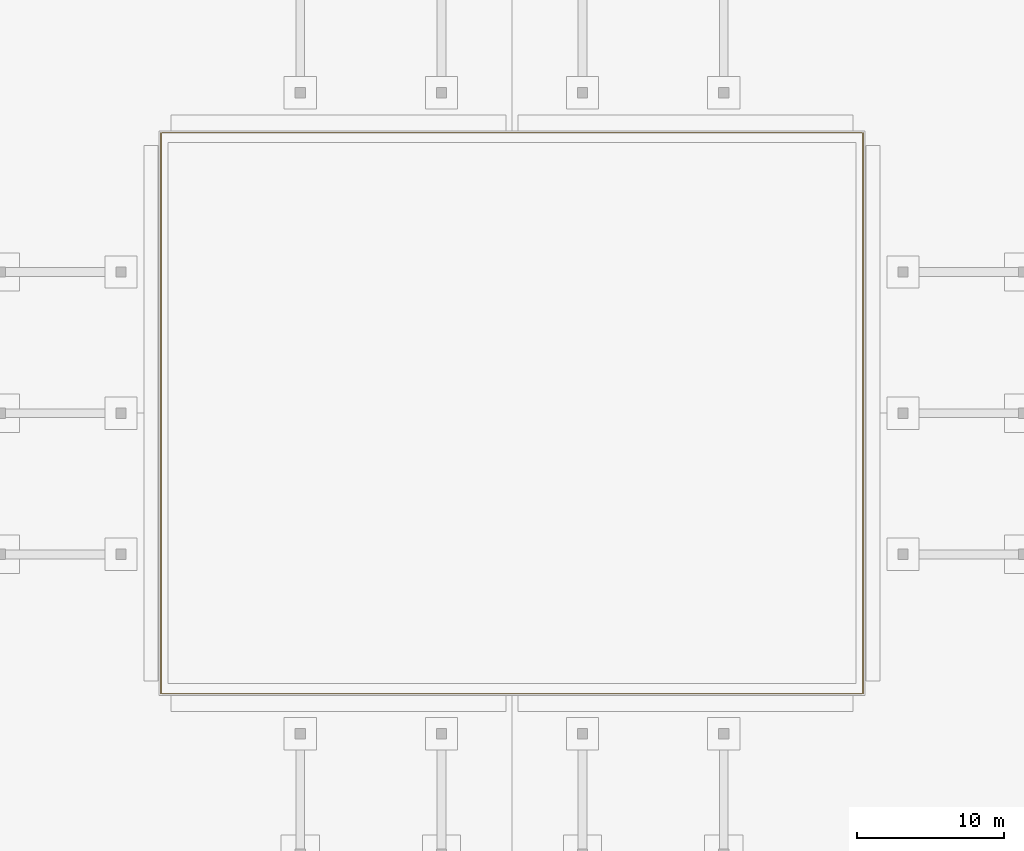
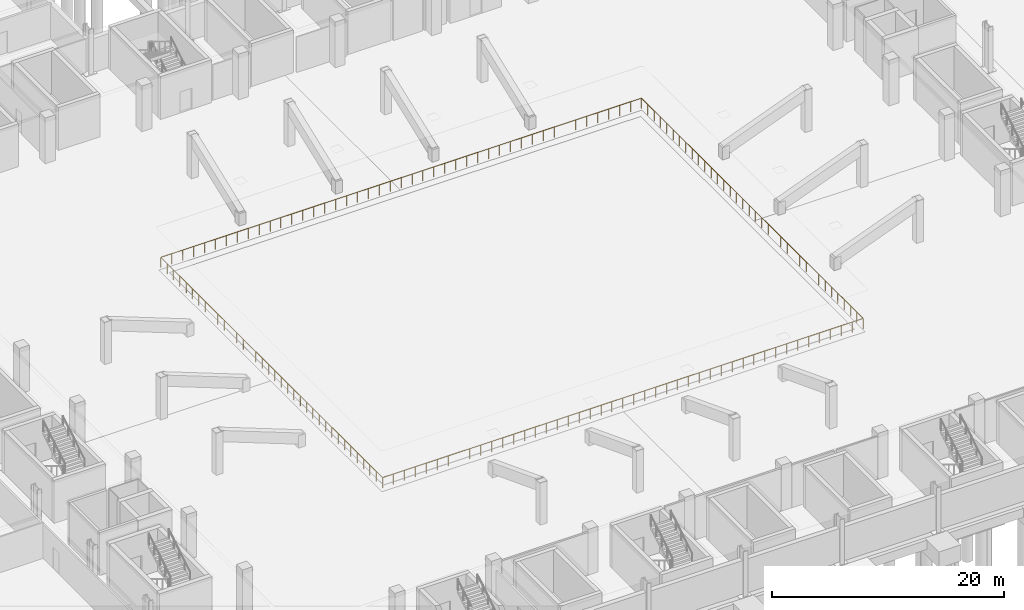
# One storey, part 51 of 67: 1 railing.
"""IFC4 building model written with IfcOpenShell, lengths in metres."""

from ifc_helpers import new_model, si_unit, direction, frame, origin, origin_2d, place, context, subcontext, project, spatial, circle, extrude, material, type_object, element, save


model = new_model("IFC4")

# Units and contexts
model_context = context("Model", 3, precision=1e-05, world=origin(), true_north=direction((0.0, 1.0)))
body_context = subcontext(model_context, "Body", "Model", "MODEL_VIEW")
ifc_project = project(units=[si_unit("LENGTHUNIT", "METRE"), si_unit("AREAUNIT", "SQUARE_METRE"), si_unit("VOLUMEUNIT", "CUBIC_METRE"), si_unit("PLANEANGLEUNIT", "RADIAN"), si_unit("MASSUNIT", "GRAM", prefix="KILO")], contexts=[model_context])

# Site, building, storey
site_placement = place(None, origin())
site = spatial("IfcSite", under=ifc_project, at=site_placement, CompositionType="ELEMENT")
building_placement = place(site_placement, origin())
building = spatial("IfcBuilding", under=site, at=building_placement, Name="Caelomonte Colonnade Arena", CompositionType="ELEMENT")
storey_placement = place(building_placement, frame((0.0, 0.0, -4.800048828125)))
storey = spatial("IfcBuildingStorey", under=building, at=storey_placement, Name="B1", CompositionType="ELEMENT", Elevation=-4.800048828125)

# Railing
ifc_material = material(Name="Painted galvanized steel handrail and posts", Category="steel")
railing_type = type_object("IfcRailingType", Name="ENV-RL-GRD1", PredefinedType="GUARDRAIL", material=ifc_material)
railing_placement = place(storey_placement, frame((134.280029296875, 48.1201171875, 0.300048828125)))
element("IfcRailing", 1, at=railing_placement, inside=storey, type_object=railing_type, Name="Lower bowl front crowd barrier 1", PredefinedType="GUARDRAIL", context=body_context, shape_type="SweptSolid", body=[
    extrude(circle(Radius=0.02392578125, at=origin_2d()), frame((0.0, 0.03125, 1.076171875), z_axis=(0.0, 1.0, 0.0), x_axis=(-1.0, 0.0, 0.0)), (0.0, 0.0, 1.0), 38.097412109375),
    extrude(circle(Radius=0.02392578125, at=origin_2d()), frame((-0.03125, 38.159912109375, 1.076171875), z_axis=(-1.0, 0.0, 0.0), x_axis=(0.0, -1.0, 0.0)), (0.0, 0.0, 1.0), 47.697509765625),
    extrude(circle(Radius=0.02392578125, at=origin_2d()), frame((-47.760009765625, 38.128662109375, 1.076171875), z_axis=(0.0, -1.0, 0.0), x_axis=(1.0, 0.0, 0.0)), (0.0, 0.0, 1.0), 38.097412109375),
    extrude(circle(Radius=0.02392578125, at=origin_2d()), frame((-47.728759765625, 0.0, 1.076171875), z_axis=(1.0, 0.0, 0.0), x_axis=(0.0, 1.0, 0.0)), (0.0, 0.0, 1.0), 47.697509765625),
    extrude(circle(Radius=0.02099609375, at=origin_2d()), origin(), (0.0, 0.0, 1.0), 1.048095703125),
    extrude(circle(Radius=0.02099609375, at=origin_2d()), frame((0.0, 1.09033203125, 0.0)), (0.0, 0.0, 1.0), 1.048095703125),
    extrude(circle(Radius=0.02099609375, at=origin_2d()), frame((0.0, 2.1806640625, 0.0)), (0.0, 0.0, 1.0), 1.048095703125),
    extrude(circle(Radius=0.02099609375, at=origin_2d()), frame((0.0, 3.270751953125, 0.0)), (0.0, 0.0, 1.0), 1.048095703125),
    extrude(circle(Radius=0.02099609375, at=origin_2d()), frame((0.0, 4.361083984375, 0.0)), (0.0, 0.0, 1.0), 1.048095703125),
    extrude(circle(Radius=0.02099609375, at=origin_2d()), frame((0.0, 5.451416015625, 0.0)), (0.0, 0.0, 1.0), 1.048095703125),
    extrude(circle(Radius=0.02099609375, at=origin_2d()), frame((0.0, 6.541748046875, 0.0)), (0.0, 0.0, 1.0), 1.048095703125),
    extrude(circle(Radius=0.02099609375, at=origin_2d()), frame((0.0, 7.632080078125, 0.0)), (0.0, 0.0, 1.0), 1.048095703125),
    extrude(circle(Radius=0.02099609375, at=origin_2d()), frame((0.0, 8.72216796875, 0.0)), (0.0, 0.0, 1.0), 1.048095703125),
    extrude(circle(Radius=0.02099609375, at=origin_2d()), frame((0.0, 9.8125, 0.0)), (0.0, 0.0, 1.0), 1.048095703125),
    extrude(circle(Radius=0.02099609375, at=origin_2d()), frame((0.0, 10.90283203125, 0.0)), (0.0, 0.0, 1.0), 1.048095703125),
    extrude(circle(Radius=0.02099609375, at=origin_2d()), frame((0.0, 11.9931640625, 0.0)), (0.0, 0.0, 1.0), 1.048095703125),
    extrude(circle(Radius=0.02099609375, at=origin_2d()), frame((0.0, 13.08349609375, 0.0)), (0.0, 0.0, 1.0), 1.048095703125),
    extrude(circle(Radius=0.02099609375, at=origin_2d()), frame((0.0, 14.173583984375, 0.0)), (0.0, 0.0, 1.0), 1.048095703125),
    extrude(circle(Radius=0.02099609375, at=origin_2d()), frame((0.0, 15.263916015625, 0.0)), (0.0, 0.0, 1.0), 1.048095703125),
    extrude(circle(Radius=0.02099609375, at=origin_2d()), frame((0.0, 16.354248046875, 0.0)), (0.0, 0.0, 1.0), 1.048095703125),
    extrude(circle(Radius=0.02099609375, at=origin_2d()), frame((0.0, 17.444580078125, 0.0)), (0.0, 0.0, 1.0), 1.048095703125),
    extrude(circle(Radius=0.02099609375, at=origin_2d()), frame((0.0, 18.534912109375, 0.0)), (0.0, 0.0, 1.0), 1.048095703125),
    extrude(circle(Radius=0.02099609375, at=origin_2d()), frame((0.0, 19.625, 0.0)), (0.0, 0.0, 1.0), 1.048095703125),
    extrude(circle(Radius=0.02099609375, at=origin_2d()), frame((0.0, 20.71533203125, 0.0)), (0.0, 0.0, 1.0), 1.048095703125),
    extrude(circle(Radius=0.02099609375, at=origin_2d()), frame((0.0, 21.8056640625, 0.0)), (0.0, 0.0, 1.0), 1.048095703125),
    extrude(circle(Radius=0.02099609375, at=origin_2d()), frame((0.0, 22.89599609375, 0.0)), (0.0, 0.0, 1.0), 1.048095703125),
    extrude(circle(Radius=0.02099609375, at=origin_2d()), frame((0.0, 23.986328125, 0.0)), (0.0, 0.0, 1.0), 1.048095703125),
    extrude(circle(Radius=0.02099609375, at=origin_2d()), frame((0.0, 25.076416015625, 0.0)), (0.0, 0.0, 1.0), 1.048095703125),
    extrude(circle(Radius=0.02099609375, at=origin_2d()), frame((0.0, 26.166748046875, 0.0)), (0.0, 0.0, 1.0), 1.048095703125),
    extrude(circle(Radius=0.02099609375, at=origin_2d()), frame((0.0, 27.257080078125, 0.0)), (0.0, 0.0, 1.0), 1.048095703125),
    extrude(circle(Radius=0.02099609375, at=origin_2d()), frame((0.0, 28.347412109375, 0.0)), (0.0, 0.0, 1.0), 1.048095703125),
    extrude(circle(Radius=0.02099609375, at=origin_2d()), frame((0.0, 29.437744140625, 0.0)), (0.0, 0.0, 1.0), 1.048095703125),
    extrude(circle(Radius=0.02099609375, at=origin_2d()), frame((0.0, 30.52783203125, 0.0)), (0.0, 0.0, 1.0), 1.048095703125),
    extrude(circle(Radius=0.02099609375, at=origin_2d()), frame((0.0, 31.6181640625, 0.0)), (0.0, 0.0, 1.0), 1.048095703125),
    extrude(circle(Radius=0.02099609375, at=origin_2d()), frame((0.0, 32.70849609375, 0.0)), (0.0, 0.0, 1.0), 1.048095703125),
    extrude(circle(Radius=0.02099609375, at=origin_2d()), frame((0.0, 33.798828125, 0.0)), (0.0, 0.0, 1.0), 1.048095703125),
    extrude(circle(Radius=0.02099609375, at=origin_2d()), frame((0.0, 34.88916015625, 0.0)), (0.0, 0.0, 1.0), 1.048095703125),
    extrude(circle(Radius=0.02099609375, at=origin_2d()), frame((0.0, 35.979248046875, 0.0)), (0.0, 0.0, 1.0), 1.048095703125),
    extrude(circle(Radius=0.02099609375, at=origin_2d()), frame((0.0, 37.069580078125, 0.0)), (0.0, 0.0, 1.0), 1.048095703125),
    extrude(circle(Radius=0.02099609375, at=origin_2d()), frame((0.0, 38.159912109375, 0.0)), (0.0, 0.0, 1.0), 1.048095703125),
    extrude(circle(Radius=0.02099609375, at=origin_2d()), frame((-1.08544921875, 38.159912109375, 0.0)), (0.0, 0.0, 1.0), 1.048095703125),
    extrude(circle(Radius=0.02099609375, at=origin_2d()), frame((-2.1708984375, 38.159912109375, 0.0)), (0.0, 0.0, 1.0), 1.048095703125),
    extrude(circle(Radius=0.02099609375, at=origin_2d()), frame((-3.25634765625, 38.159912109375, 0.0)), (0.0, 0.0, 1.0), 1.048095703125),
    extrude(circle(Radius=0.02099609375, at=origin_2d()), frame((-4.341796875, 38.159912109375, 0.0)), (0.0, 0.0, 1.0), 1.048095703125),
    extrude(circle(Radius=0.02099609375, at=origin_2d()), frame((-5.42724609375, 38.159912109375, 0.0)), (0.0, 0.0, 1.0), 1.048095703125),
    extrude(circle(Radius=0.02099609375, at=origin_2d()), frame((-6.5126953125, 38.159912109375, 0.0)), (0.0, 0.0, 1.0), 1.048095703125),
    extrude(circle(Radius=0.02099609375, at=origin_2d()), frame((-7.59814453125, 38.159912109375, 0.0)), (0.0, 0.0, 1.0), 1.048095703125),
    extrude(circle(Radius=0.02099609375, at=origin_2d()), frame((-8.68359375, 38.159912109375, 0.0)), (0.0, 0.0, 1.0), 1.048095703125),
    extrude(circle(Radius=0.02099609375, at=origin_2d()), frame((-9.76904296875, 38.159912109375, 0.0)), (0.0, 0.0, 1.0), 1.048095703125),
    extrude(circle(Radius=0.02099609375, at=origin_2d()), frame((-10.8544921875, 38.159912109375, 0.0)), (0.0, 0.0, 1.0), 1.048095703125),
    extrude(circle(Radius=0.02099609375, at=origin_2d()), frame((-11.93994140625, 38.159912109375, 0.0)), (0.0, 0.0, 1.0), 1.048095703125),
    extrude(circle(Radius=0.02099609375, at=origin_2d()), frame((-13.025390625, 38.159912109375, 0.0)), (0.0, 0.0, 1.0), 1.048095703125),
    extrude(circle(Radius=0.02099609375, at=origin_2d()), frame((-14.11083984375, 38.159912109375, 0.0)), (0.0, 0.0, 1.0), 1.048095703125),
    extrude(circle(Radius=0.02099609375, at=origin_2d()), frame((-15.1962890625, 38.159912109375, 0.0)), (0.0, 0.0, 1.0), 1.048095703125),
    extrude(circle(Radius=0.02099609375, at=origin_2d()), frame((-16.28173828125, 38.159912109375, 0.0)), (0.0, 0.0, 1.0), 1.048095703125),
    extrude(circle(Radius=0.02099609375, at=origin_2d()), frame((-17.3671875, 38.159912109375, 0.0)), (0.0, 0.0, 1.0), 1.048095703125),
    extrude(circle(Radius=0.02099609375, at=origin_2d()), frame((-18.45263671875, 38.159912109375, 0.0)), (0.0, 0.0, 1.0), 1.048095703125),
    extrude(circle(Radius=0.02099609375, at=origin_2d()), frame((-19.5380859375, 38.159912109375, 0.0)), (0.0, 0.0, 1.0), 1.048095703125),
    extrude(circle(Radius=0.02099609375, at=origin_2d()), frame((-20.62353515625, 38.159912109375, 0.0)), (0.0, 0.0, 1.0), 1.048095703125),
    extrude(circle(Radius=0.02099609375, at=origin_2d()), frame((-21.708984375, 38.159912109375, 0.0)), (0.0, 0.0, 1.0), 1.048095703125),
    extrude(circle(Radius=0.02099609375, at=origin_2d()), frame((-22.79443359375, 38.159912109375, 0.0)), (0.0, 0.0, 1.0), 1.048095703125),
    extrude(circle(Radius=0.02099609375, at=origin_2d()), frame((-23.8798828125, 38.159912109375, 0.0)), (0.0, 0.0, 1.0), 1.048095703125),
    extrude(circle(Radius=0.02099609375, at=origin_2d()), frame((-24.965576171875, 38.159912109375, 0.0)), (0.0, 0.0, 1.0), 1.048095703125),
    extrude(circle(Radius=0.02099609375, at=origin_2d()), frame((-26.051025390625, 38.159912109375, 0.0)), (0.0, 0.0, 1.0), 1.048095703125),
    extrude(circle(Radius=0.02099609375, at=origin_2d()), frame((-27.136474609375, 38.159912109375, 0.0)), (0.0, 0.0, 1.0), 1.048095703125),
    extrude(circle(Radius=0.02099609375, at=origin_2d()), frame((-28.221923828125, 38.159912109375, 0.0)), (0.0, 0.0, 1.0), 1.048095703125),
    extrude(circle(Radius=0.02099609375, at=origin_2d()), frame((-29.307373046875, 38.159912109375, 0.0)), (0.0, 0.0, 1.0), 1.048095703125),
    extrude(circle(Radius=0.02099609375, at=origin_2d()), frame((-30.392822265625, 38.159912109375, 0.0)), (0.0, 0.0, 1.0), 1.048095703125),
    extrude(circle(Radius=0.02099609375, at=origin_2d()), frame((-31.478271484375, 38.159912109375, 0.0)), (0.0, 0.0, 1.0), 1.048095703125),
    extrude(circle(Radius=0.02099609375, at=origin_2d()), frame((-32.563720703125, 38.159912109375, 0.0)), (0.0, 0.0, 1.0), 1.048095703125),
    extrude(circle(Radius=0.02099609375, at=origin_2d()), frame((-33.649169921875, 38.159912109375, 0.0)), (0.0, 0.0, 1.0), 1.048095703125),
    extrude(circle(Radius=0.02099609375, at=origin_2d()), frame((-34.734619140625, 38.159912109375, 0.0)), (0.0, 0.0, 1.0), 1.048095703125),
    extrude(circle(Radius=0.02099609375, at=origin_2d()), frame((-35.820068359375, 38.159912109375, 0.0)), (0.0, 0.0, 1.0), 1.048095703125),
    extrude(circle(Radius=0.02099609375, at=origin_2d()), frame((-36.905517578125, 38.159912109375, 0.0)), (0.0, 0.0, 1.0), 1.048095703125),
    extrude(circle(Radius=0.02099609375, at=origin_2d()), frame((-37.990966796875, 38.159912109375, 0.0)), (0.0, 0.0, 1.0), 1.048095703125),
    extrude(circle(Radius=0.02099609375, at=origin_2d()), frame((-39.076416015625, 38.159912109375, 0.0)), (0.0, 0.0, 1.0), 1.048095703125),
    extrude(circle(Radius=0.02099609375, at=origin_2d()), frame((-40.161865234375, 38.159912109375, 0.0)), (0.0, 0.0, 1.0), 1.048095703125),
    extrude(circle(Radius=0.02099609375, at=origin_2d()), frame((-41.247314453125, 38.159912109375, 0.0)), (0.0, 0.0, 1.0), 1.048095703125),
    extrude(circle(Radius=0.02099609375, at=origin_2d()), frame((-42.332763671875, 38.159912109375, 0.0)), (0.0, 0.0, 1.0), 1.048095703125),
    extrude(circle(Radius=0.02099609375, at=origin_2d()), frame((-43.418212890625, 38.159912109375, 0.0)), (0.0, 0.0, 1.0), 1.048095703125),
    extrude(circle(Radius=0.02099609375, at=origin_2d()), frame((-44.503662109375, 38.159912109375, 0.0)), (0.0, 0.0, 1.0), 1.048095703125),
    extrude(circle(Radius=0.02099609375, at=origin_2d()), frame((-45.589111328125, 38.159912109375, 0.0)), (0.0, 0.0, 1.0), 1.048095703125),
    extrude(circle(Radius=0.02099609375, at=origin_2d()), frame((-46.674560546875, 38.159912109375, 0.0)), (0.0, 0.0, 1.0), 1.048095703125),
    extrude(circle(Radius=0.02099609375, at=origin_2d()), frame((-47.760009765625, 38.159912109375, 0.0)), (0.0, 0.0, 1.0), 1.048095703125),
    extrude(circle(Radius=0.02099609375, at=origin_2d()), frame((-47.760009765625, 37.069580078125, 0.0)), (0.0, 0.0, 1.0), 1.048095703125),
    extrude(circle(Radius=0.02099609375, at=origin_2d()), frame((-47.760009765625, 35.979248046875, 0.0)), (0.0, 0.0, 1.0), 1.048095703125),
    extrude(circle(Radius=0.02099609375, at=origin_2d()), frame((-47.760009765625, 34.88916015625, 0.0)), (0.0, 0.0, 1.0), 1.048095703125),
    extrude(circle(Radius=0.02099609375, at=origin_2d()), frame((-47.760009765625, 33.798828125, 0.0)), (0.0, 0.0, 1.0), 1.048095703125),
    extrude(circle(Radius=0.02099609375, at=origin_2d()), frame((-47.760009765625, 32.70849609375, 0.0)), (0.0, 0.0, 1.0), 1.048095703125),
    extrude(circle(Radius=0.02099609375, at=origin_2d()), frame((-47.760009765625, 31.6181640625, 0.0)), (0.0, 0.0, 1.0), 1.048095703125),
    extrude(circle(Radius=0.02099609375, at=origin_2d()), frame((-47.760009765625, 30.52783203125, 0.0)), (0.0, 0.0, 1.0), 1.048095703125),
    extrude(circle(Radius=0.02099609375, at=origin_2d()), frame((-47.760009765625, 29.437744140625, 0.0)), (0.0, 0.0, 1.0), 1.048095703125),
    extrude(circle(Radius=0.02099609375, at=origin_2d()), frame((-47.760009765625, 28.347412109375, 0.0)), (0.0, 0.0, 1.0), 1.048095703125),
    extrude(circle(Radius=0.02099609375, at=origin_2d()), frame((-47.760009765625, 27.257080078125, 0.0)), (0.0, 0.0, 1.0), 1.048095703125),
    extrude(circle(Radius=0.02099609375, at=origin_2d()), frame((-47.760009765625, 26.166748046875, 0.0)), (0.0, 0.0, 1.0), 1.048095703125),
    extrude(circle(Radius=0.02099609375, at=origin_2d()), frame((-47.760009765625, 25.076416015625, 0.0)), (0.0, 0.0, 1.0), 1.048095703125),
    extrude(circle(Radius=0.02099609375, at=origin_2d()), frame((-47.760009765625, 23.986328125, 0.0)), (0.0, 0.0, 1.0), 1.048095703125),
    extrude(circle(Radius=0.02099609375, at=origin_2d()), frame((-47.760009765625, 22.89599609375, 0.0)), (0.0, 0.0, 1.0), 1.048095703125),
    extrude(circle(Radius=0.02099609375, at=origin_2d()), frame((-47.760009765625, 21.8056640625, 0.0)), (0.0, 0.0, 1.0), 1.048095703125),
    extrude(circle(Radius=0.02099609375, at=origin_2d()), frame((-47.760009765625, 20.71533203125, 0.0)), (0.0, 0.0, 1.0), 1.048095703125),
    extrude(circle(Radius=0.02099609375, at=origin_2d()), frame((-47.760009765625, 19.625, 0.0)), (0.0, 0.0, 1.0), 1.048095703125),
    extrude(circle(Radius=0.02099609375, at=origin_2d()), frame((-47.760009765625, 18.534912109375, 0.0)), (0.0, 0.0, 1.0), 1.048095703125),
    extrude(circle(Radius=0.02099609375, at=origin_2d()), frame((-47.760009765625, 17.444580078125, 0.0)), (0.0, 0.0, 1.0), 1.048095703125),
    extrude(circle(Radius=0.02099609375, at=origin_2d()), frame((-47.760009765625, 16.354248046875, 0.0)), (0.0, 0.0, 1.0), 1.048095703125),
    extrude(circle(Radius=0.02099609375, at=origin_2d()), frame((-47.760009765625, 15.263916015625, 0.0)), (0.0, 0.0, 1.0), 1.048095703125),
    extrude(circle(Radius=0.02099609375, at=origin_2d()), frame((-47.760009765625, 14.173583984375, 0.0)), (0.0, 0.0, 1.0), 1.048095703125),
    extrude(circle(Radius=0.02099609375, at=origin_2d()), frame((-47.760009765625, 13.08349609375, 0.0)), (0.0, 0.0, 1.0), 1.048095703125),
    extrude(circle(Radius=0.02099609375, at=origin_2d()), frame((-47.760009765625, 11.9931640625, 0.0)), (0.0, 0.0, 1.0), 1.048095703125),
    extrude(circle(Radius=0.02099609375, at=origin_2d()), frame((-47.760009765625, 10.90283203125, 0.0)), (0.0, 0.0, 1.0), 1.048095703125),
    extrude(circle(Radius=0.02099609375, at=origin_2d()), frame((-47.760009765625, 9.8125, 0.0)), (0.0, 0.0, 1.0), 1.048095703125),
    extrude(circle(Radius=0.02099609375, at=origin_2d()), frame((-47.760009765625, 8.72216796875, 0.0)), (0.0, 0.0, 1.0), 1.048095703125),
    extrude(circle(Radius=0.02099609375, at=origin_2d()), frame((-47.760009765625, 7.632080078125, 0.0)), (0.0, 0.0, 1.0), 1.048095703125),
    extrude(circle(Radius=0.02099609375, at=origin_2d()), frame((-47.760009765625, 6.541748046875, 0.0)), (0.0, 0.0, 1.0), 1.048095703125),
    extrude(circle(Radius=0.02099609375, at=origin_2d()), frame((-47.760009765625, 5.451416015625, 0.0)), (0.0, 0.0, 1.0), 1.048095703125),
    extrude(circle(Radius=0.02099609375, at=origin_2d()), frame((-47.760009765625, 4.361083984375, 0.0)), (0.0, 0.0, 1.0), 1.048095703125),
    extrude(circle(Radius=0.02099609375, at=origin_2d()), frame((-47.760009765625, 3.270751953125, 0.0)), (0.0, 0.0, 1.0), 1.048095703125),
    extrude(circle(Radius=0.02099609375, at=origin_2d()), frame((-47.760009765625, 2.1806640625, 0.0)), (0.0, 0.0, 1.0), 1.048095703125),
    extrude(circle(Radius=0.02099609375, at=origin_2d()), frame((-47.760009765625, 1.09033203125, 0.0)), (0.0, 0.0, 1.0), 1.048095703125),
    extrude(circle(Radius=0.02099609375, at=origin_2d()), frame((-47.760009765625, 0.0, 0.0)), (0.0, 0.0, 1.0), 1.048095703125),
    extrude(circle(Radius=0.02099609375, at=origin_2d()), frame((-46.674560546875, 0.0, 0.0)), (0.0, 0.0, 1.0), 1.048095703125),
    extrude(circle(Radius=0.02099609375, at=origin_2d()), frame((-45.589111328125, 0.0, 0.0)), (0.0, 0.0, 1.0), 1.048095703125),
    extrude(circle(Radius=0.02099609375, at=origin_2d()), frame((-44.503662109375, 0.0, 0.0)), (0.0, 0.0, 1.0), 1.048095703125),
    extrude(circle(Radius=0.02099609375, at=origin_2d()), frame((-43.418212890625, 0.0, 0.0)), (0.0, 0.0, 1.0), 1.048095703125),
    extrude(circle(Radius=0.02099609375, at=origin_2d()), frame((-42.332763671875, 0.0, 0.0)), (0.0, 0.0, 1.0), 1.048095703125),
    extrude(circle(Radius=0.02099609375, at=origin_2d()), frame((-41.247314453125, 0.0, 0.0)), (0.0, 0.0, 1.0), 1.048095703125),
    extrude(circle(Radius=0.02099609375, at=origin_2d()), frame((-40.161865234375, 0.0, 0.0)), (0.0, 0.0, 1.0), 1.048095703125),
    extrude(circle(Radius=0.02099609375, at=origin_2d()), frame((-39.076416015625, 0.0, 0.0)), (0.0, 0.0, 1.0), 1.048095703125),
    extrude(circle(Radius=0.02099609375, at=origin_2d()), frame((-37.990966796875, 0.0, 0.0)), (0.0, 0.0, 1.0), 1.048095703125),
    extrude(circle(Radius=0.02099609375, at=origin_2d()), frame((-36.905517578125, 0.0, 0.0)), (0.0, 0.0, 1.0), 1.048095703125),
    extrude(circle(Radius=0.02099609375, at=origin_2d()), frame((-35.820068359375, 0.0, 0.0)), (0.0, 0.0, 1.0), 1.048095703125),
    extrude(circle(Radius=0.02099609375, at=origin_2d()), frame((-34.734619140625, 0.0, 0.0)), (0.0, 0.0, 1.0), 1.048095703125),
    extrude(circle(Radius=0.02099609375, at=origin_2d()), frame((-33.649169921875, 0.0, 0.0)), (0.0, 0.0, 1.0), 1.048095703125),
    extrude(circle(Radius=0.02099609375, at=origin_2d()), frame((-32.563720703125, 0.0, 0.0)), (0.0, 0.0, 1.0), 1.048095703125),
    extrude(circle(Radius=0.02099609375, at=origin_2d()), frame((-31.478271484375, 0.0, 0.0)), (0.0, 0.0, 1.0), 1.048095703125),
    extrude(circle(Radius=0.02099609375, at=origin_2d()), frame((-30.392822265625, 0.0, 0.0)), (0.0, 0.0, 1.0), 1.048095703125),
    extrude(circle(Radius=0.02099609375, at=origin_2d()), frame((-29.307373046875, 0.0, 0.0)), (0.0, 0.0, 1.0), 1.048095703125),
    extrude(circle(Radius=0.02099609375, at=origin_2d()), frame((-28.221923828125, 0.0, 0.0)), (0.0, 0.0, 1.0), 1.048095703125),
    extrude(circle(Radius=0.02099609375, at=origin_2d()), frame((-27.136474609375, 0.0, 0.0)), (0.0, 0.0, 1.0), 1.048095703125),
    extrude(circle(Radius=0.02099609375, at=origin_2d()), frame((-26.051025390625, 0.0, 0.0)), (0.0, 0.0, 1.0), 1.048095703125),
    extrude(circle(Radius=0.02099609375, at=origin_2d()), frame((-24.965576171875, 0.0, 0.0)), (0.0, 0.0, 1.0), 1.048095703125),
    extrude(circle(Radius=0.02099609375, at=origin_2d()), frame((-23.8798828125, 0.0, 0.0)), (0.0, 0.0, 1.0), 1.048095703125),
    extrude(circle(Radius=0.02099609375, at=origin_2d()), frame((-22.79443359375, 0.0, 0.0)), (0.0, 0.0, 1.0), 1.048095703125),
    extrude(circle(Radius=0.02099609375, at=origin_2d()), frame((-21.708984375, 0.0, 0.0)), (0.0, 0.0, 1.0), 1.048095703125),
    extrude(circle(Radius=0.02099609375, at=origin_2d()), frame((-20.62353515625, 0.0, 0.0)), (0.0, 0.0, 1.0), 1.048095703125),
    extrude(circle(Radius=0.02099609375, at=origin_2d()), frame((-19.5380859375, 0.0, 0.0)), (0.0, 0.0, 1.0), 1.048095703125),
    extrude(circle(Radius=0.02099609375, at=origin_2d()), frame((-18.45263671875, 0.0, 0.0)), (0.0, 0.0, 1.0), 1.048095703125),
    extrude(circle(Radius=0.02099609375, at=origin_2d()), frame((-17.3671875, 0.0, 0.0)), (0.0, 0.0, 1.0), 1.048095703125),
    extrude(circle(Radius=0.02099609375, at=origin_2d()), frame((-16.28173828125, 0.0, 0.0)), (0.0, 0.0, 1.0), 1.048095703125),
    extrude(circle(Radius=0.02099609375, at=origin_2d()), frame((-15.1962890625, 0.0, 0.0)), (0.0, 0.0, 1.0), 1.048095703125),
    extrude(circle(Radius=0.02099609375, at=origin_2d()), frame((-14.11083984375, 0.0, 0.0)), (0.0, 0.0, 1.0), 1.048095703125),
    extrude(circle(Radius=0.02099609375, at=origin_2d()), frame((-13.025390625, 0.0, 0.0)), (0.0, 0.0, 1.0), 1.048095703125),
    extrude(circle(Radius=0.02099609375, at=origin_2d()), frame((-11.93994140625, 0.0, 0.0)), (0.0, 0.0, 1.0), 1.048095703125),
    extrude(circle(Radius=0.02099609375, at=origin_2d()), frame((-10.8544921875, 0.0, 0.0)), (0.0, 0.0, 1.0), 1.048095703125),
    extrude(circle(Radius=0.02099609375, at=origin_2d()), frame((-9.76904296875, 0.0, 0.0)), (0.0, 0.0, 1.0), 1.048095703125),
    extrude(circle(Radius=0.02099609375, at=origin_2d()), frame((-8.68359375, 0.0, 0.0)), (0.0, 0.0, 1.0), 1.048095703125),
    extrude(circle(Radius=0.02099609375, at=origin_2d()), frame((-7.59814453125, 0.0, 0.0)), (0.0, 0.0, 1.0), 1.048095703125),
    extrude(circle(Radius=0.02099609375, at=origin_2d()), frame((-6.5126953125, 0.0, 0.0)), (0.0, 0.0, 1.0), 1.048095703125),
    extrude(circle(Radius=0.02099609375, at=origin_2d()), frame((-5.42724609375, 0.0, 0.0)), (0.0, 0.0, 1.0), 1.048095703125),
    extrude(circle(Radius=0.02099609375, at=origin_2d()), frame((-4.341796875, 0.0, 0.0)), (0.0, 0.0, 1.0), 1.048095703125),
    extrude(circle(Radius=0.02099609375, at=origin_2d()), frame((-3.25634765625, 0.0, 0.0)), (0.0, 0.0, 1.0), 1.048095703125),
    extrude(circle(Radius=0.02099609375, at=origin_2d()), frame((-2.1708984375, 0.0, 0.0)), (0.0, 0.0, 1.0), 1.048095703125),
    extrude(circle(Radius=0.02099609375, at=origin_2d()), frame((-1.08544921875, 0.0, 0.0)), (0.0, 0.0, 1.0), 1.048095703125),
])

save(model, "model.ifc")
